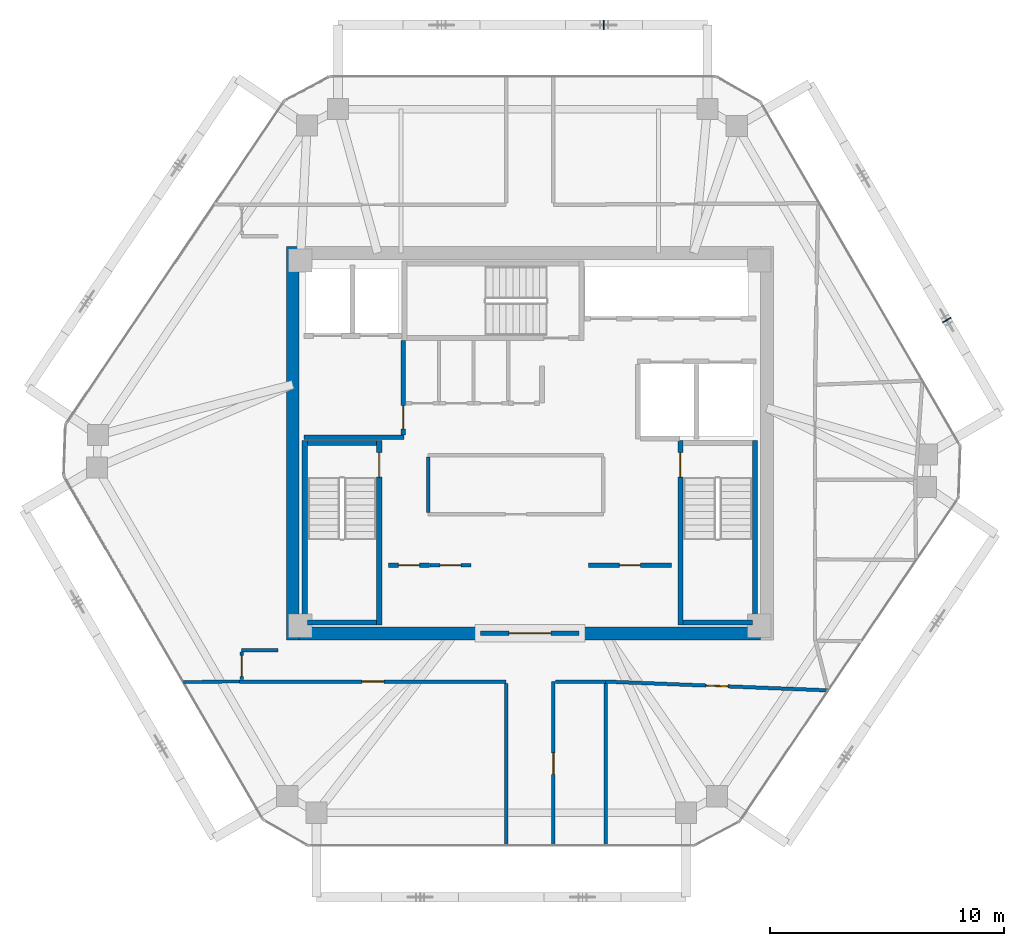
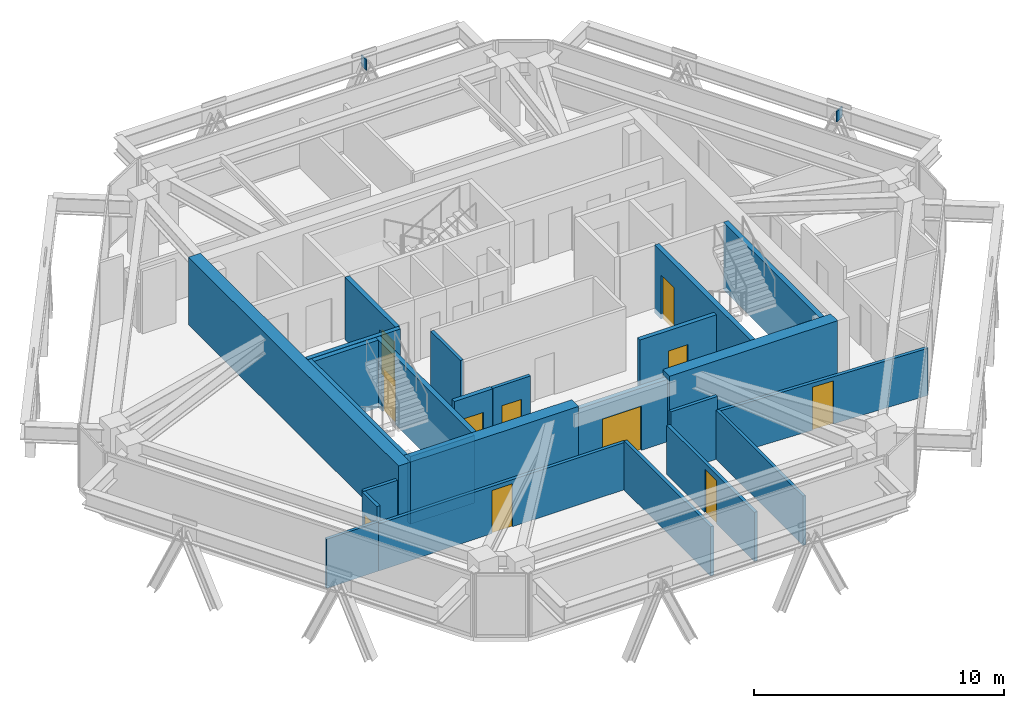
# One storey, part 9 of 12: 26 walls, 11 doors, 2 plates, 11 openings.
"""IFC4 building model written with IfcOpenShell, lengths in metres."""

from ifc_helpers import new_model, si_unit, direction, frame, frame_2d, origin, origin_2d, place, context, subcontext, project, spatial, rectangle, extrude, source, transform, mapped, material, layer, layer_set, type_object, type_shapes, element, fill, save


model = new_model("IFC4")

# Units and contexts
model_context = context("Model", 3, precision=1e-05, world=origin(), true_north=direction((0.0, 1.0)))
body_context = subcontext(model_context, "Body", "Model", "MODEL_VIEW")
ifc_project = project(units=[si_unit("LENGTHUNIT", "METRE"), si_unit("AREAUNIT", "SQUARE_METRE"), si_unit("VOLUMEUNIT", "CUBIC_METRE"), si_unit("PLANEANGLEUNIT", "RADIAN"), si_unit("MASSUNIT", "GRAM", prefix="KILO")], contexts=[model_context])

# Site, building, storey
site_placement = place(None, origin())
site = spatial("IfcSite", under=ifc_project, at=site_placement, CompositionType="ELEMENT")
building_placement = place(site_placement, origin())
building = spatial("IfcBuilding", under=site, at=building_placement, Name="Durnholm Broadcast Tower", CompositionType="ELEMENT")
storey_placement = place(building_placement, frame((0.0, 0.0, 221.60009765625)))
storey = spatial("IfcBuildingStorey", under=building, at=storey_placement, Name="L61", CompositionType="ELEMENT", Elevation=221.60009765625)

# Plates
ifc_material_1 = material(Name="Steel ASTM A572 Grade 50", Category="steel")
ifc_layer_1 = layer(ifc_material_1, 0.044921875)
ifc_layer_set_1 = layer_set([ifc_layer_1], Name="Steel ASTM A572 Grade 50")
plate_type = type_object("IfcPlateType", Name="PLT-KN-STIF", PredefinedType="SHEET", material=ifc_layer_set_1)
shared_shape_1 = source(origin(), body_context, "Body", "SweptSolid", [
    extrude(rectangle(XDim=0.044921875, YDim=0.419921875, at=origin_2d()), origin(), (0.0, 0.0, 1.0), 0.52001953125),
])
type_shapes(plate_type, [shared_shape_1])
for number, where, z_axis, x_axis, name in (
    (1, (17.806640625, 5.2548828125, 2.04833984375), (0.0, 0.0, 1.0), (-0.501963660617, 0.864888711581, 0.0), "L61 welded diagrid node stiffener plate F3"),
    (2, (3.164794921875, 17.862060546875, 2.04833984375), (0.0, 0.0, 1.0), (-1.0, 0.0, 0.0), "L61 welded diagrid node stiffener plate F4"),
):
    element("IfcPlate", number, at=place(storey_placement, frame(where, z_axis=z_axis, x_axis=x_axis)), inside=storey, type_object=plate_type, Name=name, PredefinedType="SHEET", context=body_context, shape_type="MappedRepresentation", body=[
        mapped(shared_shape_1, transform((0.0, 0.0, 0.0), x_axis=(1.0, 0.0, 0.0), y_axis=(0.0, 1.0, 0.0), z_axis=(0.0, 0.0, 1.0), scale=1.0)),
    ])

# Walls
ifc_material_2 = material(Name="Concrete C70/85", Category="concrete")
ifc_layer_2 = layer(ifc_material_2, 0.550048828125)
ifc_layer_set_2 = layer_set([ifc_layer_2], Name="Concrete C70/85")
wall_type_1 = type_object("IfcWallType", Name="WALL-CW-550", PredefinedType="SHEAR", material=ifc_layer_set_2)
wall_1_placement = place(storey_placement, frame((-10.125, -8.39990234375, 0.0), z_axis=(0.0, 0.0, 1.0), x_axis=(0.0, 1.0, 0.0)))
element("IfcWall", 3, at=wall_1_placement, inside=storey, type_object=wall_type_1, Name="L61 central core shear wall CW-WEST", PredefinedType="SHEAR", context=body_context, shape_type="SweptSolid", body=[
    extrude(rectangle(XDim=16.7998046875, YDim=0.550048828125, at=frame_2d((8.39990234375, 0.0))), origin(), (0.0, 0.0, 1.0), 3.2998046875),
])
for number, where, z_axis, x_axis, name in (
    (4, (-9.85009765625, -8.125, 0.0), (0.0, 0.0, 1.0), (1.0, 0.0, 0.0), "L61 central core shear wall CW-S1"),
    (5, (2.10009765625, -8.125, 0.0), (0.0, 0.0, 1.0), (1.0, 0.0, 0.0), "L61 central core shear wall CW-S2"),
):
    element("IfcWall", number, at=place(storey_placement, frame(where, z_axis=z_axis, x_axis=x_axis)), inside=storey, type_object=wall_type_1, Name=name, PredefinedType="SHEAR", context=body_context, shape_type="SweptSolid", body=[
        extrude(rectangle(XDim=7.75, YDim=0.550048828125, at=frame_2d((3.875, 0.0))), origin(), (0.0, 0.0, 1.0), 3.2998046875),
    ])

# Wall, opening, door
ifc_material_3 = material(Name="Fire-Rated Gypsum Shaftwall", Category="concrete")
ifc_layer_3 = layer(ifc_material_3, 0.199951171875)
ifc_layer_set_3 = layer_set([ifc_layer_3], Name="Fire-Rated Gypsum Shaftwall")
wall_type_2 = type_object("IfcWallType", Name="WALL-LOB-200", PredefinedType="SOLIDWALL", material=ifc_layer_set_3)
wall_2_placement = place(storey_placement, frame((-2.10009765625, -8.125, 0.0), z_axis=(0.0, 0.0, 1.0), x_axis=(1.0, 0.0, 0.0)))
wall_2 = element("IfcWall", 6, at=wall_2_placement, inside=storey, type_object=wall_type_2, Name="L61 south core lobby fire screen", PredefinedType="SOLIDWALL", context=body_context, shape_type="SweptSolid", body=[
    extrude(rectangle(XDim=4.2001953125, YDim=0.199951171875, at=frame_2d((2.10009765625, 0.0))), origin(), (0.0, 0.0, 1.0), 3.044921875),
])
opening_1_placement = place(wall_2_placement, frame((1.199951171875, 0.0, 0.0)))
opening_1 = element("IfcOpeningElement", 7, at=opening_1_placement, cuts=wall_2, Name="Opening DP-60", PredefinedType="OPENING", context=body_context, shape_type="SweptSolid", body=[
    extrude(rectangle(XDim=1.800048828125, YDim=2.14990234375, at=frame_2d((0.89990234375, 1.074951171875))), frame((0.0, 0.10986328125, 0.0), z_axis=(0.0, -1.0, 0.0), x_axis=(1.0, 0.0, 0.0)), (0.0, 0.0, 1.0), 0.219970703125),
])
ifc_material_4 = material(Name="Fire-Rated Double Corridor Door", Category="steel")
ifc_layer_4 = layer(ifc_material_4, 0.050048828125)
ifc_layer_set_4 = layer_set([ifc_layer_4], Name="Fire-Rated Double Corridor Door")
door_type_1 = type_object("IfcDoorType", Name="DOOR-PAIR-FD60", OperationType="DOUBLE_DOOR_SINGLE_SWING", PredefinedType="DOOR", material=ifc_layer_set_4)
shared_shape_2 = source(origin(), body_context, "Body", "SweptSolid", [
    extrude(rectangle(XDim=1.800048828125, YDim=2.14990234375, at=frame_2d((0.89990234375, 1.074951171875))), frame((0.0, 0.02490234375, 0.0), z_axis=(0.0, -1.0, 0.0), x_axis=(1.0, 0.0, 0.0)), (0.0, 0.0, 1.0), 0.050048828125),
])
type_shapes(door_type_1, [shared_shape_2])
door_1_placement = place(opening_1_placement, origin())
door_1 = element("IfcDoor", 8, at=door_1_placement, inside=storey, type_object=door_type_1, Name="L61 south core lobby double fire door", OperationType="DOUBLE_DOOR_SINGLE_SWING", OverallHeight=2.14990234375, OverallWidth=1.800048828125, PredefinedType="DOOR", context=body_context, shape_type="MappedRepresentation", body=[
    mapped(shared_shape_2, transform((0.0, 0.0, 0.0), x_axis=(1.0, 0.0, 0.0), y_axis=(0.0, 1.0, 0.0), z_axis=(0.0, 0.0, 1.0), scale=1.0)),
])
fill(opening_1, door_1)

# Wall
wall_3_placement = place(storey_placement, frame((-9.64990234375, 0.25, 0.0), z_axis=(0.0, 0.0, 1.0), x_axis=(1.0, 0.0, 0.0)))
element("IfcWall", 9, at=wall_3_placement, inside=storey, type_object=wall_type_2, Name="L61 Fire Service Access Elevator lobby south wall", PredefinedType="SOLIDWALL", context=body_context, shape_type="SweptSolid", body=[
    extrude(rectangle(XDim=4.27001953125, YDim=0.199951171875, at=frame_2d((2.135009765625, 0.0))), origin(), (0.0, 0.0, 1.0), 3.044921875),
])

# Wall, opening, door
wall_4_placement = place(storey_placement, frame((-5.39990234375, 0.35400390625, 0.0), z_axis=(0.0, 0.0, 1.0), x_axis=(0.0, 1.0, 0.0)))
wall_4 = element("IfcWall", 10, at=wall_4_placement, inside=storey, type_object=wall_type_2, Name="L61 Fire Service Access Elevator lobby east fire wall", PredefinedType="SOLIDWALL", context=body_context, shape_type="SweptSolid", body=[
    extrude(rectangle(XDim=4.02587890625, YDim=0.199951171875, at=frame_2d((2.012939453125, 0.0))), origin(), (0.0, 0.0, 1.0), 3.044921875),
])
opening_2_placement = place(wall_4_placement, frame((0.24609375, 0.0, 0.0)))
opening_2 = element("IfcOpeningElement", 11, at=opening_2_placement, cuts=wall_4, Name="Opening DL-60R", PredefinedType="OPENING", context=body_context, shape_type="SweptSolid", body=[
    extrude(rectangle(XDim=1.0, YDim=2.14990234375, at=frame_2d((0.5, 1.074951171875))), frame((0.0, 0.10986328125, 0.0), z_axis=(0.0, -1.0, 0.0), x_axis=(1.0, 0.0, 0.0)), (0.0, 0.0, 1.0), 0.219970703125),
])
ifc_material_5 = material(Name="Fire-Rated Timber/Steel Door", Category="steel")
ifc_layer_5 = layer(ifc_material_5, 0.050048828125)
ifc_layer_set_5 = layer_set([ifc_layer_5], Name="Fire-Rated Timber/Steel Door")
door_type_2 = type_object("IfcDoorType", Name="DOOR-LOB-FD60-R", OperationType="NOTDEFINED", PredefinedType="DOOR", material=ifc_layer_set_5)
shared_shape_3 = source(origin(), body_context, "Body", "SweptSolid", [
    extrude(rectangle(XDim=1.0, YDim=2.14990234375, at=frame_2d((0.5, 1.074951171875))), frame((0.0, 0.02490234375, 0.0), z_axis=(0.0, -1.0, 0.0), x_axis=(1.0, 0.0, 0.0)), (0.0, 0.0, 1.0), 0.050048828125),
])
type_shapes(door_type_2, [shared_shape_3])
door_2_placement = place(opening_2_placement, origin())
door_2 = element("IfcDoor", 12, at=door_2_placement, inside=storey, type_object=door_type_2, Name="L61 Fire Service Access Elevator lobby smoke door", OperationType="SINGLE_SWING_RIGHT", OverallHeight=2.14990234375, OverallWidth=1.0, PredefinedType="DOOR", context=body_context, shape_type="MappedRepresentation", body=[
    mapped(shared_shape_3, transform((0.0, 0.0, 0.0), x_axis=(1.0, 0.0, 0.0), y_axis=(0.0, 1.0, 0.0), z_axis=(0.0, 0.0, 1.0), scale=1.0)),
])
fill(opening_2, door_2)

wall_5_placement = place(storey_placement, frame((-6.0400390625, -5.2099609375, 0.0), z_axis=(0.0, 0.0, 1.0), x_axis=(1.0, 0.0, 0.0)))
wall_5 = element("IfcWall", 13, at=wall_5_placement, inside=storey, type_object=wall_type_2, Name="L61 Media Fiber Patch Room corridor partition", PredefinedType="SOLIDWALL", context=body_context, shape_type="SweptSolid", body=[
    extrude(rectangle(XDim=1.760009765625, YDim=0.199951171875, at=frame_2d((0.8798828125, 0.0))), origin(), (0.0, 0.0, 1.0), 3.044921875),
])
opening_3_placement = place(wall_5_placement, frame((0.429931640625, 0.0, 0.0)))
opening_3 = element("IfcOpeningElement", 14, at=opening_3_placement, cuts=wall_5, Name="Opening DC-60R", PredefinedType="OPENING", context=body_context, shape_type="SweptSolid", body=[
    extrude(rectangle(XDim=0.89990234375, YDim=2.050048828125, at=frame_2d((0.449951171875, 1.02490234375))), frame((0.0, 0.10986328125, 0.0), z_axis=(0.0, -1.0, 0.0), x_axis=(1.0, 0.0, 0.0)), (0.0, 0.0, 1.0), 0.219970703125),
])
ifc_material_6 = material(Name="Fire-Rated Core Service Door", Category="steel")
ifc_layer_6 = layer(ifc_material_6, 0.050048828125)
ifc_layer_set_6 = layer_set([ifc_layer_6], Name="Fire-Rated Core Service Door")
door_type_3 = type_object("IfcDoorType", Name="DOOR-CORE-FD60-R", OperationType="NOTDEFINED", PredefinedType="DOOR", material=ifc_layer_set_6)
shared_shape_4 = source(origin(), body_context, "Body", "SweptSolid", [
    extrude(rectangle(XDim=0.89990234375, YDim=2.050048828125, at=frame_2d((0.449951171875, 1.02490234375))), frame((0.0, 0.02490234375, 0.0), z_axis=(0.0, -1.0, 0.0), x_axis=(1.0, 0.0, 0.0)), (0.0, 0.0, 1.0), 0.050048828125),
])
type_shapes(door_type_3, [shared_shape_4])
door_3_placement = place(opening_3_placement, origin())
door_3 = element("IfcDoor", 15, at=door_3_placement, inside=storey, type_object=door_type_3, Name="L61 Media Fiber Patch Room entrance door", OperationType="SINGLE_SWING_RIGHT", OverallHeight=2.050048828125, OverallWidth=0.89990234375, PredefinedType="DOOR", context=body_context, shape_type="MappedRepresentation", body=[
    mapped(shared_shape_4, transform((0.0, 0.0, 0.0), x_axis=(1.0, 0.0, 0.0), y_axis=(0.0, 1.0, 0.0), z_axis=(0.0, 0.0, 1.0), scale=1.0)),
])
fill(opening_3, door_3)

wall_6_placement = place(storey_placement, frame((2.510009765625, -5.2099609375, 0.0), z_axis=(0.0, 0.0, 1.0), x_axis=(1.0, 0.0, 0.0)))
wall_6 = element("IfcWall", 16, at=wall_6_placement, inside=storey, type_object=wall_type_2, Name="L61 Telemetry Control Closet corridor partition", PredefinedType="SOLIDWALL", context=body_context, shape_type="SweptSolid", body=[
    extrude(rectangle(XDim=3.530029296875, YDim=0.199951171875, at=frame_2d((1.76513671875, 0.0))), origin(), (0.0, 0.0, 1.0), 3.044921875),
])
opening_4_placement = place(wall_6_placement, frame((1.31494140625, 0.0, 0.0)))
opening_4 = element("IfcOpeningElement", 17, at=opening_4_placement, cuts=wall_6, Name="Opening DC-60R", PredefinedType="OPENING", context=body_context, shape_type="SweptSolid", body=[
    extrude(rectangle(XDim=0.89990234375, YDim=2.050048828125, at=frame_2d((0.449951171875, 1.02490234375))), frame((0.0, 0.10986328125, 0.0), z_axis=(0.0, -1.0, 0.0), x_axis=(1.0, 0.0, 0.0)), (0.0, 0.0, 1.0), 0.219970703125),
])
door_4_placement = place(opening_4_placement, origin())
door_4 = element("IfcDoor", 18, at=door_4_placement, inside=storey, type_object=door_type_3, Name="L61 Telemetry Control Closet entrance door", OperationType="SINGLE_SWING_RIGHT", OverallHeight=2.050048828125, OverallWidth=0.89990234375, PredefinedType="DOOR", context=body_context, shape_type="MappedRepresentation", body=[
    mapped(shared_shape_4, transform((0.0, 0.0, 0.0), x_axis=(1.0, 0.0, 0.0), y_axis=(0.0, 1.0, 0.0), z_axis=(0.0, 0.0, 1.0), scale=1.0)),
])
fill(opening_4, door_4)

# Walls
ifc_material_7 = material(Name="Gypsum Metal Stud Partition", Category="concrete")
ifc_layer_7 = layer(ifc_material_7, 0.135009765625)
ifc_layer_set_7 = layer_set([ifc_layer_7], Name="Gypsum Metal Stud Partition")
wall_type_3 = type_object("IfcWallType", Name="WALL-PART-135", PredefinedType="PARTITIONING", material=ifc_layer_set_7)
wall_7_placement = place(storey_placement, frame((-14.801513671875, -10.199951171875, 0.0), z_axis=(0.0, 0.0, 1.0), x_axis=(0.999968020968, 0.007997314604, 0.0)))
element("IfcWall", 19, at=wall_7_placement, inside=storey, type_object=wall_type_3, Name="L61 room dividing partition 14.17", PredefinedType="PARTITIONING", context=body_context, shape_type="SweptSolid", body=[
    extrude(rectangle(XDim=2.41162109375, YDim=0.135009765625, at=frame_2d((1.205810546875, 0.0))), origin(), (0.0, 0.0, 1.0), 2.398681640625),
])
wall_8_placement = place(storey_placement, frame((3.239990234375, -10.26220703125, 0.0), z_axis=(0.0, 0.0, 1.0), x_axis=(0.0, -1.0, 0.0)))
element("IfcWall", 20, at=wall_8_placement, inside=storey, type_object=wall_type_3, Name="L61 room dividing partition 15.16", PredefinedType="PARTITIONING", context=body_context, shape_type="SweptSolid", body=[
    extrude(rectangle(XDim=6.923828125, YDim=0.135009765625, at=frame_2d((3.4619140625, 0.0))), origin(), (0.0, 0.0, 1.0), 2.398681640625),
])

# Wall, opening, door
ifc_material_8 = material(Name="Acoustic Gypsum Stud Partition", Category="concrete")
ifc_layer_8 = layer(ifc_material_8, 0.14990234375)
ifc_layer_set_8 = layer_set([ifc_layer_8], Name="Acoustic Gypsum Stud Partition")
wall_type_4 = type_object("IfcWallType", Name="WALL-PART-150", PredefinedType="PARTITIONING", material=ifc_layer_set_8)
wall_9_placement = place(storey_placement, frame((-4.260009765625, -5.2099609375, 0.0), z_axis=(0.0, 0.0, 1.0), x_axis=(1.0, 0.0, 0.0)))
wall_9 = element("IfcWall", 21, at=wall_9_placement, inside=storey, type_object=wall_type_4, Name="L61 Copy and Print Room corridor partition", PredefinedType="PARTITIONING", context=body_context, shape_type="SweptSolid", body=[
    extrude(rectangle(XDim=1.75, YDim=0.14990234375, at=frame_2d((0.875, 0.0))), origin(), (0.0, 0.0, 1.0), 3.044921875),
])
opening_5_placement = place(wall_9_placement, frame((0.425048828125, 0.0, 0.0)))
opening_5 = element("IfcOpeningElement", 22, at=opening_5_placement, cuts=wall_9, Name="Opening DC-60L", PredefinedType="OPENING", context=body_context, shape_type="SweptSolid", body=[
    extrude(rectangle(XDim=0.89990234375, YDim=2.050048828125, at=frame_2d((0.449951171875, 1.02490234375))), frame((0.0, 0.0849609375, 0.0), z_axis=(0.0, -1.0, 0.0), x_axis=(1.0, 0.0, 0.0)), (0.0, 0.0, 1.0), 0.169921875),
])
ifc_layer_9 = layer(ifc_material_6, 0.050048828125)
ifc_layer_set_9 = layer_set([ifc_layer_9], Name="Fire-Rated Core Service Door")
door_type_4 = type_object("IfcDoorType", Name="DOOR-CORE-FD60-L", OperationType="NOTDEFINED", PredefinedType="DOOR", material=ifc_layer_set_9)
shared_shape_5 = source(origin(), body_context, "Body", "SweptSolid", [
    extrude(rectangle(XDim=0.89990234375, YDim=2.050048828125, at=frame_2d((0.449951171875, 1.02490234375))), frame((0.0, 0.02490234375, 0.0), z_axis=(0.0, -1.0, 0.0), x_axis=(1.0, 0.0, 0.0)), (0.0, 0.0, 1.0), 0.050048828125),
])
type_shapes(door_type_4, [shared_shape_5])
door_5_placement = place(opening_5_placement, origin())
door_5 = element("IfcDoor", 23, at=door_5_placement, inside=storey, type_object=door_type_4, Name="L61 Copy and Print Room entrance door", OperationType="SINGLE_SWING_LEFT", OverallHeight=2.050048828125, OverallWidth=0.89990234375, PredefinedType="DOOR", context=body_context, shape_type="MappedRepresentation", body=[
    mapped(shared_shape_5, transform((0.0, 0.0, 0.0), x_axis=(1.0, 0.0, 0.0), y_axis=(0.0, 1.0, 0.0), z_axis=(0.0, 0.0, 1.0), scale=1.0)),
])
fill(opening_5, door_5)

# Wall
wall_10_placement = place(storey_placement, frame((-4.340087890625, -2.9609375, 0.0), z_axis=(0.0, 0.0, 1.0), x_axis=(0.0, 1.0, 0.0)))
element("IfcWall", 24, at=wall_10_placement, inside=storey, type_object=wall_type_4, Name="L61 Broadcast Equipment Pantry corridor partition", PredefinedType="PARTITIONING", context=body_context, shape_type="SweptSolid", body=[
    extrude(rectangle(XDim=2.371826171875, YDim=0.14990234375, at=frame_2d((1.18603515625, 0.0))), origin(), (0.0, 0.0, 1.0), 3.044921875),
])

# Wall, opening, door
wall_11_placement = place(storey_placement, frame((-12.389892578125, -10.179931640625, 0.0), z_axis=(0.0, 0.0, 1.0), x_axis=(1.0, 0.0, 0.0)))
wall_11 = element("IfcWall", 25, at=wall_11_placement, inside=storey, type_object=wall_type_4, Name="L61 Diplomatic Dining Room corridor partition", PredefinedType="PARTITIONING", context=body_context, shape_type="SweptSolid", body=[
    extrude(rectangle(XDim=11.3798828125, YDim=0.14990234375, at=frame_2d((5.68994140625, 0.0))), origin(), (0.0, 0.0, 1.0), 2.30126953125),
])
opening_6_placement = place(wall_11_placement, frame((5.215087890625, 0.0, 0.0)))
opening_6 = element("IfcOpeningElement", 26, at=opening_6_placement, cuts=wall_11, Name="Opening DR-95L", PredefinedType="OPENING", context=body_context, shape_type="SweptSolid", body=[
    extrude(rectangle(XDim=0.949951171875, YDim=2.10009765625, at=frame_2d((0.47509765625, 1.050048828125))), frame((0.0, 0.0849609375, 0.0), z_axis=(0.0, -1.0, 0.0), x_axis=(1.0, 0.0, 0.0)), (0.0, 0.0, 1.0), 0.169921875),
])
ifc_material_9 = material(Name="Acoustic Oak Veneer Timber Door", Category="wood")
ifc_layer_10 = layer(ifc_material_9, 0.050048828125)
ifc_layer_set_10 = layer_set([ifc_layer_10], Name="Acoustic Oak Veneer Timber Door")
door_type_5 = type_object("IfcDoorType", Name="DOOR-RM-950L", OperationType="NOTDEFINED", PredefinedType="DOOR", material=ifc_layer_set_10)
shared_shape_6 = source(origin(), body_context, "Body", "SweptSolid", [
    extrude(rectangle(XDim=0.949951171875, YDim=2.10009765625, at=frame_2d((0.47509765625, 1.050048828125))), frame((0.0, 0.02490234375, 0.0), z_axis=(0.0, -1.0, 0.0), x_axis=(1.0, 0.0, 0.0)), (0.0, 0.0, 1.0), 0.050048828125),
])
type_shapes(door_type_5, [shared_shape_6])
door_6_placement = place(opening_6_placement, origin())
door_6 = element("IfcDoor", 27, at=door_6_placement, inside=storey, type_object=door_type_5, Name="L61 Diplomatic Dining Room entrance door", OperationType="SINGLE_SWING_LEFT", OverallHeight=2.10009765625, OverallWidth=0.949951171875, PredefinedType="DOOR", context=body_context, shape_type="MappedRepresentation", body=[
    mapped(shared_shape_6, transform((0.0, 0.0, 0.0), x_axis=(1.0, 0.0, 0.0), y_axis=(0.0, 1.0, 0.0), z_axis=(0.0, 0.0, 1.0), scale=1.0)),
])
fill(opening_6, door_6)

# Wall
wall_12_placement = place(storey_placement, frame((-1.010009765625, -10.259033203125, 0.0), z_axis=(0.0, 0.0, 1.0), x_axis=(0.0, -1.0, 0.0)))
element("IfcWall", 28, at=wall_12_placement, inside=storey, type_object=wall_type_4, Name="L61 Diplomatic Dining Room corridor partition", PredefinedType="PARTITIONING", context=body_context, shape_type="SweptSolid", body=[
    extrude(rectangle(XDim=6.927001953125, YDim=0.14990234375, at=frame_2d((3.46337890625, 0.0))), origin(), (0.0, 0.0, 1.0), 2.398681640625),
])

# Wall, opening, door
wall_13_placement = place(storey_placement, frame((1.010009765625, -17.18603515625, 0.0), z_axis=(0.0, 0.0, 1.0), x_axis=(0.0, 1.0, 0.0)))
wall_13 = element("IfcWall", 29, at=wall_13_placement, inside=storey, type_object=wall_type_4, Name="L61 Executive Catering Kitchen corridor partition", PredefinedType="PARTITIONING", context=body_context, shape_type="SweptSolid", body=[
    extrude(rectangle(XDim=7.006103515625, YDim=0.14990234375, at=frame_2d((3.5029296875, 0.0))), origin(), (0.0, 0.0, 1.0), 2.398681640625),
])
opening_7_placement = place(wall_13_placement, frame((3.04296875, 0.0, 0.0)))
opening_7 = element("IfcOpeningElement", 30, at=opening_7_placement, cuts=wall_13, Name="Opening DR-92R", PredefinedType="OPENING", context=body_context, shape_type="SweptSolid", body=[
    extrude(rectangle(XDim=0.919921875, YDim=2.10009765625, at=frame_2d((0.4599609375, 1.050048828125))), frame((0.0, 0.0849609375, 0.0), z_axis=(0.0, -1.0, 0.0), x_axis=(1.0, 0.0, 0.0)), (0.0, 0.0, 1.0), 0.169921875),
])
ifc_material_10 = material(Name="Oak Veneer Office Door", Category="wood")
ifc_layer_11 = layer(ifc_material_10, 0.050048828125)
ifc_layer_set_11 = layer_set([ifc_layer_11], Name="Oak Veneer Office Door")
door_type_6 = type_object("IfcDoorType", Name="DOOR-RM-920R", OperationType="NOTDEFINED", PredefinedType="DOOR", material=ifc_layer_set_11)
shared_shape_7 = source(origin(), body_context, "Body", "SweptSolid", [
    extrude(rectangle(XDim=0.919921875, YDim=2.10009765625, at=frame_2d((0.4599609375, 1.050048828125))), frame((0.0, 0.02490234375, 0.0), z_axis=(0.0, -1.0, 0.0), x_axis=(1.0, 0.0, 0.0)), (0.0, 0.0, 1.0), 0.050048828125),
])
type_shapes(door_type_6, [shared_shape_7])
door_7_placement = place(opening_7_placement, origin())
door_7 = element("IfcDoor", 31, at=door_7_placement, inside=storey, type_object=door_type_6, Name="L61 Executive Catering Kitchen entrance door", OperationType="SINGLE_SWING_RIGHT", OverallHeight=2.10009765625, OverallWidth=0.919921875, PredefinedType="DOOR", context=body_context, shape_type="MappedRepresentation", body=[
    mapped(shared_shape_7, transform((0.0, 0.0, 0.0), x_axis=(1.0, 0.0, 0.0), y_axis=(0.0, 1.0, 0.0), z_axis=(0.0, 0.0, 1.0), scale=1.0)),
])
fill(opening_7, door_7)

# Wall
wall_14_placement = place(storey_placement, frame((1.089111328125, -10.179931640625, 0.0), z_axis=(0.0, 0.0, 1.0), x_axis=(1.0, 0.0, 0.0)))
element("IfcWall", 32, at=wall_14_placement, inside=storey, type_object=wall_type_4, Name="L61 Executive Catering Kitchen corridor partition", PredefinedType="PARTITIONING", context=body_context, shape_type="SweptSolid", body=[
    extrude(rectangle(XDim=2.15087890625, YDim=0.14990234375, at=frame_2d((1.075439453125, 0.0))), origin(), (0.0, 0.0, 1.0), 3.044921875),
])

# Wall, opening, door
wall_15_placement = place(storey_placement, frame((3.239990234375, -10.18310546875, 0.0), z_axis=(0.0, 0.0, 1.0), x_axis=(0.999222675532, -0.039421373675, 0.0)))
wall_15 = element("IfcWall", 33, at=wall_15_placement, inside=storey, type_object=wall_type_4, Name="L61 Open Plan Broadcast Workspace 6 corridor partition", PredefinedType="PARTITIONING", context=body_context, shape_type="SweptSolid", body=[
    extrude(rectangle(XDim=9.50634765625, YDim=0.14990234375, at=frame_2d((4.753173828125, 0.0))), origin(), (0.0, 0.0, 1.0), 2.30126953125),
])
opening_8_placement = place(wall_15_placement, frame((4.278076171875, 0.0, 0.0)))
opening_8 = element("IfcOpeningElement", 34, at=opening_8_placement, cuts=wall_15, Name="Opening DR-95L", PredefinedType="OPENING", context=body_context, shape_type="SweptSolid", body=[
    extrude(rectangle(XDim=0.949951171875, YDim=2.10009765625, at=frame_2d((0.47509765625, 1.050048828125))), frame((0.0, 0.0849609375, 0.0), z_axis=(0.0, -1.0, 0.0), x_axis=(1.0, 0.0, 0.0)), (0.0, 0.0, 1.0), 0.169921875),
])
door_8_placement = place(opening_8_placement, origin())
door_8 = element("IfcDoor", 35, at=door_8_placement, inside=storey, type_object=door_type_5, Name="L61 Open Plan Broadcast Workspace 6 entrance door", OperationType="SINGLE_SWING_LEFT", OverallHeight=2.10009765625, OverallWidth=0.949951171875, PredefinedType="DOOR", context=body_context, shape_type="MappedRepresentation", body=[
    mapped(shared_shape_6, transform((0.0, 0.0, 0.0), x_axis=(1.0, 0.0, 0.0), y_axis=(0.0, 1.0, 0.0), z_axis=(0.0, 0.0, 1.0), scale=1.0)),
])
fill(opening_8, door_8)

# Wall
wall_16_placement = place(storey_placement, frame((-10.760009765625, -8.840087890625, 0.0), z_axis=(0.0, 0.0, 1.0), x_axis=(-1.0, 0.0, 0.0)))
element("IfcWall", 36, at=wall_16_placement, inside=storey, type_object=wall_type_4, Name="L61 Presidential Broadcast Hall corridor partition", PredefinedType="PARTITIONING", context=body_context, shape_type="SweptSolid", body=[
    extrude(rectangle(XDim=1.550048828125, YDim=0.14990234375, at=frame_2d((0.77490234375, 0.0))), origin(), (0.0, 0.0, 1.0), 3.044921875),
])

# Wall, opening, door
wall_17_placement = place(storey_placement, frame((-12.31005859375, -8.9189453125, 0.0), z_axis=(0.0, 0.0, 1.0), x_axis=(0.0, -1.0, 0.0)))
wall_17 = element("IfcWall", 37, at=wall_17_placement, inside=storey, type_object=wall_type_4, Name="L61 Presidential Broadcast Hall corridor partition", PredefinedType="PARTITIONING", context=body_context, shape_type="SweptSolid", body=[
    extrude(rectangle(XDim=1.18212890625, YDim=0.14990234375, at=frame_2d((0.591064453125, 0.0))), origin(), (0.0, 0.0, 1.0), 3.044921875),
])
opening_9_placement = place(wall_17_placement, frame((0.14111328125, 0.0, 0.0)))
opening_9 = element("IfcOpeningElement", 38, at=opening_9_placement, cuts=wall_17, Name="Opening DW-90L", PredefinedType="OPENING", context=body_context, shape_type="SweptSolid", body=[
    extrude(rectangle(XDim=0.89990234375, YDim=2.050048828125, at=frame_2d((0.449951171875, 1.02490234375))), frame((0.0, 0.0849609375, 0.0), z_axis=(0.0, -1.0, 0.0), x_axis=(1.0, 0.0, 0.0)), (0.0, 0.0, 1.0), 0.169921875),
])
ifc_material_11 = material(Name="Laminate Restroom Door", Category="steel")
ifc_layer_12 = layer(ifc_material_11, 0.050048828125)
ifc_layer_set_12 = layer_set([ifc_layer_12], Name="Laminate Restroom Door")
door_type_7 = type_object("IfcDoorType", Name="DOOR-WC-900L", OperationType="NOTDEFINED", PredefinedType="DOOR", material=ifc_layer_set_12)
shared_shape_8 = source(origin(), body_context, "Body", "SweptSolid", [
    extrude(rectangle(XDim=0.89990234375, YDim=2.050048828125, at=frame_2d((0.449951171875, 1.02490234375))), frame((0.0, 0.02490234375, 0.0), z_axis=(0.0, -1.0, 0.0), x_axis=(1.0, 0.0, 0.0)), (0.0, 0.0, 1.0), 0.050048828125),
])
type_shapes(door_type_7, [shared_shape_8])
door_9_placement = place(opening_9_placement, origin())
door_9 = element("IfcDoor", 39, at=door_9_placement, inside=storey, type_object=door_type_7, Name="L61 Presidential Broadcast Hall entrance door", OperationType="SINGLE_SWING_LEFT", OverallHeight=2.050048828125, OverallWidth=0.89990234375, PredefinedType="DOOR", context=body_context, shape_type="MappedRepresentation", body=[
    mapped(shared_shape_8, transform((0.0, 0.0, 0.0), x_axis=(1.0, 0.0, 0.0), y_axis=(0.0, 1.0, 0.0), z_axis=(0.0, 0.0, 1.0), scale=1.0)),
])
fill(opening_9, door_9)

ifc_material_12 = material(Name="Concrete C50/60", Category="concrete")
ifc_layer_13 = layer(ifc_material_12, 0.219970703125)
ifc_layer_set_13 = layer_set([ifc_layer_13], Name="Concrete C50/60")
wall_type_5 = type_object("IfcWallType", Name="WALL-SW-220", PredefinedType="SHEAR", material=ifc_layer_set_13)
wall_18_placement = place(storey_placement, frame((-6.429931640625, -7.77001953125, -0.239990234375), z_axis=(0.0, 0.0, 1.0), x_axis=(0.0, 1.0, 0.0)))
wall_18 = element("IfcWall", 40, at=wall_18_placement, inside=storey, type_object=wall_type_5, Name="L61 stair ST-1 structural shaft wall E", PredefinedType="SHEAR", context=body_context, shape_type="SweptSolid", body=[
    extrude(rectangle(XDim=7.89013671875, YDim=0.219970703125, at=frame_2d((3.945068359375, 0.0))), origin(), (0.0, 0.0, 1.0), 3.2998046875),
])
opening_10_placement = place(wall_18_placement, frame((6.320068359375, 0.0, 0.0)))
opening_10 = element("IfcOpeningElement", 41, at=opening_10_placement, cuts=wall_18, Name="Opening DS-90L", PredefinedType="OPENING", context=body_context, shape_type="SweptSolid", body=[
    extrude(rectangle(XDim=1.050048828125, YDim=2.14990234375, at=frame_2d((0.52490234375, 1.074951171875))), frame((0.0, 0.1201171875, 0.0), z_axis=(0.0, -1.0, 0.0), x_axis=(1.0, 0.0, 0.0)), (0.0, 0.0, 1.0), 0.239990234375),
])
ifc_material_13 = material(Name="Fire-Rated Steel Door", Category="steel")
ifc_layer_14 = layer(ifc_material_13, 0.050048828125)
ifc_layer_set_14 = layer_set([ifc_layer_14], Name="Fire-Rated Steel Door")
door_type_8 = type_object("IfcDoorType", Name="DOOR-ST-FD90-L", OperationType="NOTDEFINED", PredefinedType="DOOR", material=ifc_layer_set_14)
shared_shape_9 = source(origin(), body_context, "Body", "SweptSolid", [
    extrude(rectangle(XDim=1.050048828125, YDim=2.14990234375, at=frame_2d((0.52490234375, 1.074951171875))), frame((0.0, 0.02490234375, 0.0), z_axis=(0.0, -1.0, 0.0), x_axis=(1.0, 0.0, 0.0)), (0.0, 0.0, 1.0), 0.050048828125),
])
type_shapes(door_type_8, [shared_shape_9])
door_10_placement = place(opening_10_placement, origin())
door_10 = element("IfcDoor", 42, at=door_10_placement, inside=storey, type_object=door_type_8, Name="L61 exit stair ST-1 fire door", OperationType="SINGLE_SWING_LEFT", OverallHeight=2.14990234375, OverallWidth=1.050048828125, PredefinedType="DOOR", context=body_context, shape_type="MappedRepresentation", body=[
    mapped(shared_shape_9, transform((0.0, 0.0, 0.0), x_axis=(1.0, 0.0, 0.0), y_axis=(0.0, 1.0, 0.0), z_axis=(0.0, 0.0, 1.0), scale=1.0)),
])
fill(opening_10, door_10)

# Walls
wall_19_placement = place(storey_placement, frame((-9.610107421875, 0.1201171875, -0.239990234375), z_axis=(0.0, 0.0, 1.0), x_axis=(0.0, -1.0, 0.0)))
element("IfcWall", 43, at=wall_19_placement, inside=storey, type_object=wall_type_5, Name="L61 stair ST-1 structural shaft wall W", PredefinedType="SHEAR", context=body_context, shape_type="SweptSolid", body=[
    extrude(rectangle(XDim=7.89013671875, YDim=0.219970703125, at=frame_2d((3.945068359375, 0.0))), origin(), (0.0, 0.0, 1.0), 3.2998046875),
])
for number, where, z_axis, x_axis, name in (
    (44, (-9.5, -7.659912109375, -0.239990234375), (0.0, 0.0, 1.0), (1.0, 0.0, 0.0), "L61 stair ST-1 structural shaft wall S"),
    (45, (-6.5400390625, 0.010009765625, -0.239990234375), (0.0, 0.0, 1.0), (-1.0, 0.0, 0.0), "L61 stair ST-1 structural shaft wall N"),
):
    element("IfcWall", number, at=place(storey_placement, frame(where, z_axis=z_axis, x_axis=x_axis)), inside=storey, type_object=wall_type_5, Name=name, PredefinedType="SHEAR", context=body_context, shape_type="SweptSolid", body=[
        extrude(rectangle(XDim=2.9599609375, YDim=0.219970703125, at=frame_2d((1.47998046875, 0.0))), origin(), (0.0, 0.0, 1.0), 3.2998046875),
    ])
wall_20_placement = place(storey_placement, frame((9.610107421875, -7.77001953125, -0.239990234375), z_axis=(0.0, 0.0, 1.0), x_axis=(0.0, 1.0, 0.0)))
element("IfcWall", 46, at=wall_20_placement, inside=storey, type_object=wall_type_5, Name="L61 stair ST-2 structural shaft wall E", PredefinedType="SHEAR", context=body_context, shape_type="SweptSolid", body=[
    extrude(rectangle(XDim=7.89013671875, YDim=0.219970703125, at=frame_2d((3.945068359375, 0.0))), origin(), (0.0, 0.0, 1.0), 3.2998046875),
])

# Wall, opening, door
wall_21_placement = place(storey_placement, frame((6.429931640625, 0.1201171875, -0.239990234375), z_axis=(0.0, 0.0, 1.0), x_axis=(0.0, -1.0, 0.0)))
wall_21 = element("IfcWall", 47, at=wall_21_placement, inside=storey, type_object=wall_type_5, Name="L61 stair ST-2 structural shaft wall W", PredefinedType="SHEAR", context=body_context, shape_type="SweptSolid", body=[
    extrude(rectangle(XDim=7.89013671875, YDim=0.219970703125, at=frame_2d((3.945068359375, 0.0))), origin(), (0.0, 0.0, 1.0), 3.2998046875),
])
opening_11_placement = place(wall_21_placement, frame((0.52001953125, 0.0, 0.0)))
opening_11 = element("IfcOpeningElement", 48, at=opening_11_placement, cuts=wall_21, Name="Opening DS-90R", PredefinedType="OPENING", context=body_context, shape_type="SweptSolid", body=[
    extrude(rectangle(XDim=1.050048828125, YDim=2.14990234375, at=frame_2d((0.52490234375, 1.074951171875))), frame((0.0, 0.1201171875, 0.0), z_axis=(0.0, -1.0, 0.0), x_axis=(1.0, 0.0, 0.0)), (0.0, 0.0, 1.0), 0.239990234375),
])
ifc_layer_15 = layer(ifc_material_13, 0.050048828125)
ifc_layer_set_15 = layer_set([ifc_layer_15], Name="Fire-Rated Steel Door")
door_type_9 = type_object("IfcDoorType", Name="DOOR-ST-FD90-R", OperationType="NOTDEFINED", PredefinedType="DOOR", material=ifc_layer_set_15)
shared_shape_10 = source(origin(), body_context, "Body", "SweptSolid", [
    extrude(rectangle(XDim=1.050048828125, YDim=2.14990234375, at=frame_2d((0.52490234375, 1.074951171875))), frame((0.0, 0.02490234375, 0.0), z_axis=(0.0, -1.0, 0.0), x_axis=(1.0, 0.0, 0.0)), (0.0, 0.0, 1.0), 0.050048828125),
])
type_shapes(door_type_9, [shared_shape_10])
door_11_placement = place(opening_11_placement, origin())
door_11 = element("IfcDoor", 49, at=door_11_placement, inside=storey, type_object=door_type_9, Name="L61 exit stair ST-2 fire door", OperationType="SINGLE_SWING_RIGHT", OverallHeight=2.14990234375, OverallWidth=1.050048828125, PredefinedType="DOOR", context=body_context, shape_type="MappedRepresentation", body=[
    mapped(shared_shape_10, transform((0.0, 0.0, 0.0), x_axis=(1.0, 0.0, 0.0), y_axis=(0.0, 1.0, 0.0), z_axis=(0.0, 0.0, 1.0), scale=1.0)),
])
fill(opening_11, door_11)

# Wall
wall_22_placement = place(storey_placement, frame((6.5400390625, -7.659912109375, -0.239990234375), z_axis=(0.0, 0.0, 1.0), x_axis=(1.0, 0.0, 0.0)))
element("IfcWall", 50, at=wall_22_placement, inside=storey, type_object=wall_type_5, Name="L61 stair ST-2 structural shaft wall S", PredefinedType="SHEAR", context=body_context, shape_type="SweptSolid", body=[
    extrude(rectangle(XDim=2.9599609375, YDim=0.219970703125, at=frame_2d((1.47998046875, 0.0))), origin(), (0.0, 0.0, 1.0), 3.2998046875),
])

save(model, "model.ifc")
